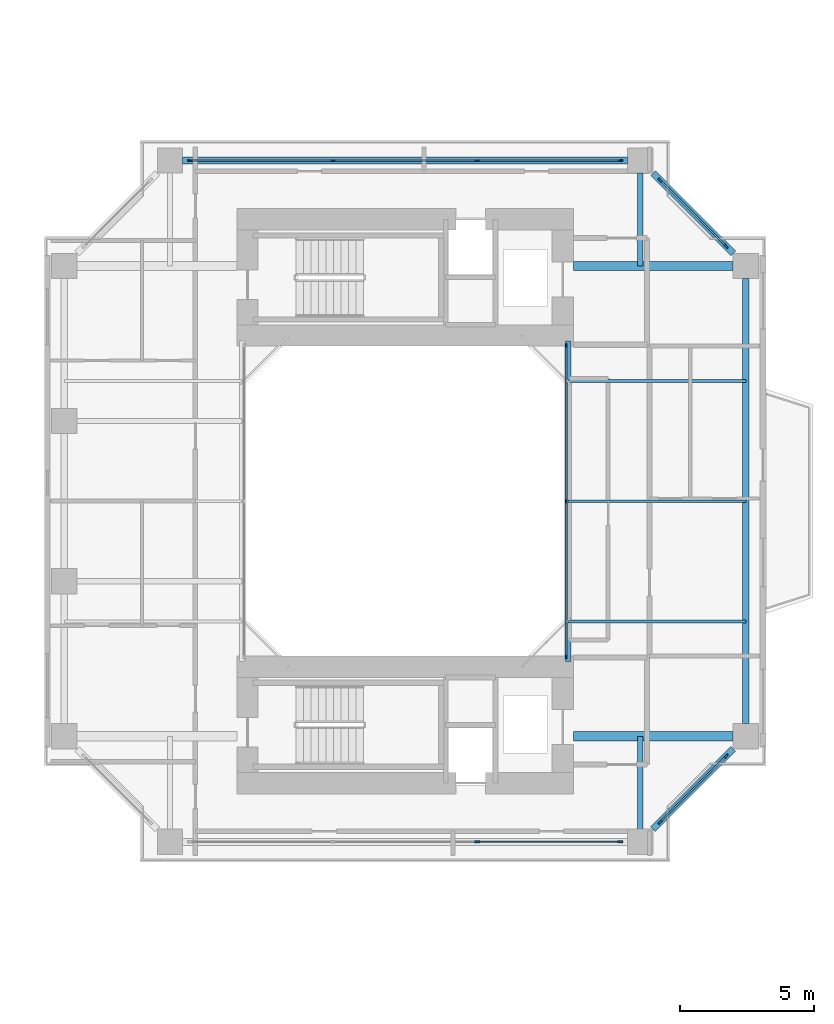
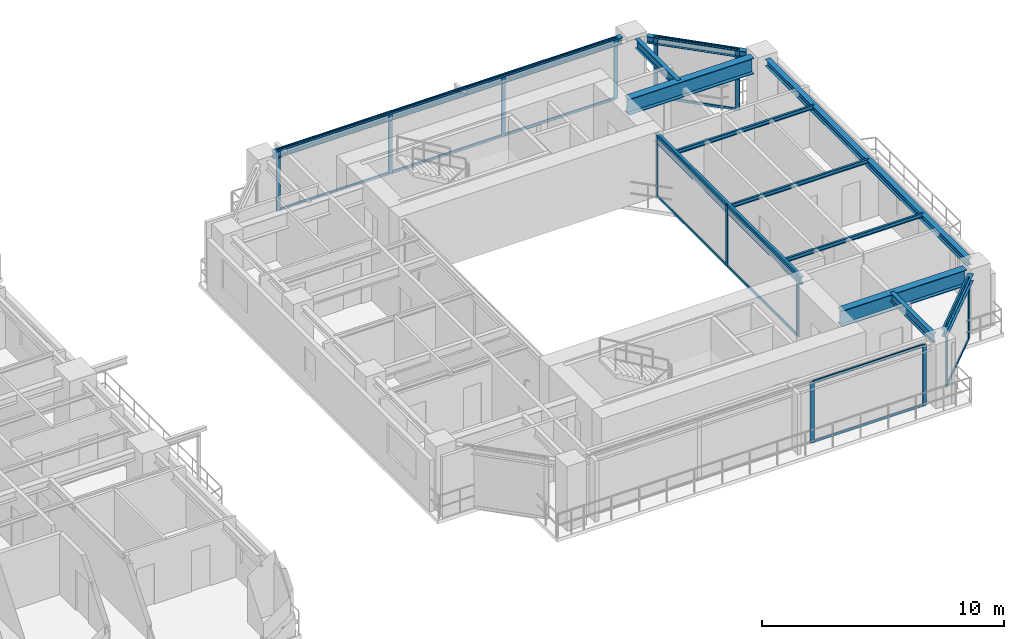
# One storey, part 10 of 23: 29 members, 12 beams, 5 elements without a shape of their own.
"""IFC4 building model written with IfcOpenShell, lengths in metres."""

from ifc_helpers import new_model, si_unit, direction, frame, origin, origin_2d, place, context, subcontext, project, spatial, rectangle, i_section, extrude, source, transform, mapped, material, layer, layer_set, material_profile, profile_set, type_object, element, aggregate, save


model = new_model("IFC4")

# Units and contexts
model_context = context("Model", 3, precision=1e-05, world=origin(), true_north=direction((0.0, 1.0)))
body_context = subcontext(model_context, "Body", "Model", "MODEL_VIEW")
ifc_project = project(units=[si_unit("LENGTHUNIT", "METRE"), si_unit("AREAUNIT", "SQUARE_METRE"), si_unit("VOLUMEUNIT", "CUBIC_METRE"), si_unit("PLANEANGLEUNIT", "RADIAN"), si_unit("MASSUNIT", "GRAM", prefix="KILO"), si_unit("THERMODYNAMICTEMPERATUREUNIT", "KELVIN"), si_unit("POWERUNIT", "WATT")], contexts=[model_context])

# Site, building, storey
site_placement = place(None, origin())
site = spatial("IfcSite", under=ifc_project, at=site_placement, CompositionType="ELEMENT")
building_placement = place(site_placement, origin())
building = spatial("IfcBuilding", under=site, at=building_placement, Name="Qiaomeng Ring Towers", CompositionType="ELEMENT")
storey_placement = place(building_placement, frame((0.0, 0.0, 32.75)))
storey = spatial("IfcBuildingStorey", under=building, at=storey_placement, Name="L08", CompositionType="ELEMENT", Elevation=32.75)

# Beams
ifc_material_1 = material(Name="Steel Q355B", Category="steel")
ifc_material_profile_1 = material_profile(ifc_material_1, i_section(OverallWidth=0.25, OverallDepth=0.340087890625, WebThickness=0.009033203125, FlangeThickness=0.013916015625, FilletRadius=0.02001953125, at=origin_2d()), Name="HM 340x250x9x14")
ifc_profile_set_1 = profile_set([ifc_material_profile_1], Name="Steel Q355B")
beam_type_1 = type_object("IfcBeamType", Name="STR-BM-HM340", PredefinedType="SPANDREL", material=ifc_profile_set_1)
shared_shape_1 = source(origin(), body_context, "Body", "SweptSolid", [
    extrude(i_section(OverallWidth=0.25, OverallDepth=0.340087890625, WebThickness=0.009033203125, FlangeThickness=0.013916015625, FilletRadius=0.02001953125, at=origin_2d()), origin(), (0.0, 0.0, 1.0), 16.65185546875),
])
for number, where, z_axis, x_axis, name in (
    (1, (73.25, 14.674072265625, 2.89990234375), (0.0, 1.0, 0.0), (-1.0, 0.0, 0.0), "L08 beam STR-SP-L08-T2-E1-E2"),
    (2, (68.825927734375, 35.75, 2.89990234375), (-1.0, 0.0, 0.0), (0.0, -1.0, 0.0), "L08 beam STR-SP-L08-T2-N2-N1"),
):
    element("IfcBeam", number, at=place(storey_placement, frame(where, z_axis=z_axis, x_axis=x_axis)), inside=storey, type_object=beam_type_1, Name=name, PredefinedType="SPANDREL", context=body_context, shape_type="MappedRepresentation", body=[
        mapped(shared_shape_1, transform((0.0, 0.0, 0.0), x_axis=(1.0, 0.0, 0.0), y_axis=(0.0, 1.0, 0.0), z_axis=(0.0, 0.0, 1.0), scale=1.0)),
    ])
shared_shape_2 = source(origin(), body_context, "Body", "SweptSolid", [
    extrude(i_section(OverallWidth=0.25, OverallDepth=0.340087890625, WebThickness=0.009033203125, FlangeThickness=0.013916015625, FilletRadius=0.02001953125, at=origin_2d()), origin(), (0.0, 0.0, 1.0), 4.244384765625),
])
for number, where, z_axis, x_axis, name in (
    (3, (69.7744140625, 10.724365234375, 2.89990234375), (0.707106781187, 0.707106781187, 0.0), (-0.707106781187, 0.707106781187, 0.0), "L08 beam STR-SP-L08-T2-S2-E1"),
    (4, (72.775634765625, 32.2744140625, 2.89990234375), (-0.707106781187, 0.707106781187, 0.0), (-0.707106781187, -0.707106781187, 0.0), "L08 beam STR-SP-L08-T2-E2-N2"),
):
    element("IfcBeam", number, at=place(storey_placement, frame(where, z_axis=z_axis, x_axis=x_axis)), inside=storey, type_object=beam_type_1, Name=name, PredefinedType="SPANDREL", context=body_context, shape_type="MappedRepresentation", body=[
        mapped(shared_shape_2, transform((0.0, 0.0, 0.0), x_axis=(1.0, 0.0, 0.0), y_axis=(0.0, 1.0, 0.0), z_axis=(0.0, 0.0, 1.0), scale=1.0)),
    ])
ifc_material_profile_2 = material_profile(ifc_material_1, i_section(OverallWidth=0.199951171875, OverallDepth=0.39990234375, WebThickness=0.008056640625, FlangeThickness=0.012939453125, FilletRadius=0.01611328125, at=origin_2d()), Name="HN 400x200x8x13")
ifc_profile_set_2 = profile_set([ifc_material_profile_2], Name="Steel Q355B")
beam_type_2 = type_object("IfcBeamType", Name="STR-BM-HN400", PredefinedType="SPANDREL", material=ifc_profile_set_2)
shared_shape_3 = source(origin(), body_context, "Body", "SweptSolid", [
    extrude(i_section(OverallWidth=0.199951171875, OverallDepth=0.39990234375, WebThickness=0.008056640625, FlangeThickness=0.012939453125, FilletRadius=0.01611328125, at=origin_2d()), origin(), (0.0, 0.0, 1.0), 12.0),
])
beam_placement = place(storey_placement, frame((66.60009765625, 17.0, 2.8701171875), z_axis=(0.0, 1.0, 0.0), x_axis=(-1.0, 0.0, 0.0)))
element("IfcBeam", 5, at=beam_placement, inside=storey, type_object=beam_type_2, Name="L08 beam STR-BM-L08-T2-WELL-E", PredefinedType="SPANDREL", context=body_context, shape_type="MappedRepresentation", body=[
    mapped(shared_shape_3, transform((0.0, 0.0, 0.0), x_axis=(1.0, 0.0, 0.0), y_axis=(0.0, 1.0, 0.0), z_axis=(0.0, 0.0, 1.0), scale=1.0)),
])
ifc_material_2 = material(Name="Steel Q390GJC", Category="steel")
ifc_material_profile_3 = material_profile(ifc_material_2, i_section(OverallWidth=0.35009765625, OverallDepth=0.800048828125, WebThickness=0.01611328125, FlangeThickness=0.028076171875, at=origin_2d()), Name="WH 800x350x16x28")
ifc_profile_set_3 = profile_set([ifc_material_profile_3], Name="Steel Q390GJC")
beam_type_3 = type_object("IfcBeamType", Name="STR-BM-WH800", PredefinedType="BEAM", material=ifc_profile_set_3)
shared_shape_4 = source(origin(), body_context, "Body", "SweptSolid", [
    extrude(i_section(OverallWidth=0.35009765625, OverallDepth=0.800048828125, WebThickness=0.01611328125, FlangeThickness=0.028076171875, at=origin_2d()), origin(), (0.0, 0.0, 1.0), 5.975830078125),
])
for number, where, z_axis, x_axis, name in (
    (6, (66.800048828125, 14.199951171875, 2.669921875), (1.0, 0.0, 0.0), (0.0, 1.0, 0.0), "L08 beam STR-BM-L08-T2-RAD-E1"),
    (7, (66.800048828125, 31.800048828125, 2.669921875), (1.0, 0.0, 0.0), (0.0, 1.0, 0.0), "L08 beam STR-BM-L08-T2-RAD-E2"),
):
    element("IfcBeam", number, at=place(storey_placement, frame(where, z_axis=z_axis, x_axis=x_axis)), inside=storey, type_object=beam_type_3, Name=name, PredefinedType="BEAM", context=body_context, shape_type="MappedRepresentation", body=[
        mapped(shared_shape_4, transform((0.0, 0.0, 0.0), x_axis=(1.0, 0.0, 0.0), y_axis=(0.0, 1.0, 0.0), z_axis=(0.0, 0.0, 1.0), scale=1.0)),
    ])
ifc_material_profile_4 = material_profile(ifc_material_1, i_section(OverallWidth=0.199951171875, OverallDepth=0.449951171875, WebThickness=0.009033203125, FlangeThickness=0.013916015625, FilletRadius=0.01806640625, at=origin_2d()), Name="HN 450x200x9x14")
ifc_profile_set_4 = profile_set([ifc_material_profile_4], Name="Steel Q355B")
beam_type_4 = type_object("IfcBeamType", Name="STR-BM-HN450", PredefinedType="SPANDREL", material=ifc_profile_set_4)
shared_shape_5 = source(origin(), body_context, "Body", "SweptSolid", [
    extrude(i_section(OverallWidth=0.199951171875, OverallDepth=0.449951171875, WebThickness=0.009033203125, FlangeThickness=0.013916015625, FilletRadius=0.01806640625, at=origin_2d()), origin(), (0.0, 0.0, 1.0), 3.475830078125),
])
for number, where, z_axis, x_axis, name in (
    (8, (69.300048828125, 35.27587890625, 2.844970703125), (0.0, -1.0, 0.0), (1.0, 0.0, 0.0), "L08 beam STR-BM-L08-T2-RAD-N2"),
    (9, (69.300048828125, 10.72412109375, 2.844970703125), (0.0, 1.0, 0.0), (-1.0, 0.0, 0.0), "L08 beam STR-BM-L08-T2-RAD-S2"),
):
    element("IfcBeam", number, at=place(storey_placement, frame(where, z_axis=z_axis, x_axis=x_axis)), inside=storey, type_object=beam_type_4, Name=name, PredefinedType="SPANDREL", context=body_context, shape_type="MappedRepresentation", body=[
        mapped(shared_shape_5, transform((0.0, 0.0, 0.0), x_axis=(1.0, 0.0, 0.0), y_axis=(0.0, 1.0, 0.0), z_axis=(0.0, 0.0, 1.0), scale=1.0)),
    ])
ifc_material_profile_5 = material_profile(ifc_material_1, i_section(OverallWidth=0.10009765625, OverallDepth=0.199951171875, WebThickness=0.005615234375, FlangeThickness=0.008056640625, FilletRadius=0.010986328125, at=origin_2d()), Name="HN 200x100x5.5x8")
ifc_profile_set_5 = profile_set([ifc_material_profile_5], Name="Steel Q355B")
beam_type_5 = type_object("IfcBeamType", Name="STR-BM-HN200", PredefinedType="JOIST", material=ifc_profile_set_5)
shared_shape_6 = source(origin(), body_context, "Body", "SweptSolid", [
    extrude(i_section(OverallWidth=0.10009765625, OverallDepth=0.199951171875, WebThickness=0.005615234375, FlangeThickness=0.008056640625, FilletRadius=0.010986328125, at=origin_2d()), origin(), (0.0, 0.0, 1.0), 6.64990234375),
])
for number, where, z_axis, x_axis, name in (
    (10, (66.60009765625, 18.5, 2.969970703125), (1.0, 0.0, 0.0), (0.0, 1.0, 0.0), "L08 beam STR-JST-L08-T2E-1"),
    (11, (66.60009765625, 23.0, 2.969970703125), (1.0, 0.0, 0.0), (0.0, 1.0, 0.0), "L08 beam STR-JST-L08-T2E-2"),
    (12, (66.60009765625, 27.5, 2.969970703125), (1.0, 0.0, 0.0), (0.0, 1.0, 0.0), "L08 beam STR-JST-L08-T2E-3"),
):
    element("IfcBeam", number, at=place(storey_placement, frame(where, z_axis=z_axis, x_axis=x_axis)), inside=storey, type_object=beam_type_5, Name=name, PredefinedType="JOIST", context=body_context, shape_type="MappedRepresentation", body=[
        mapped(shared_shape_6, transform((0.0, 0.0, 0.0), x_axis=(1.0, 0.0, 0.0), y_axis=(0.0, 1.0, 0.0), z_axis=(0.0, 0.0, 1.0), scale=1.0)),
    ])

# Curtain wall, members
ifc_material_3 = material(Name="Fluorocarbon dark-grey aluminium", Category="aluminium")
ifc_layer_1 = layer(ifc_material_3, 0.139892578125, Name="Fluorocarbon dark-grey aluminium")
ifc_layer_set_1 = layer_set([ifc_layer_1], Name="Fluorocarbon dark-grey aluminium")
curtain_wall_type_1 = type_object("IfcCurtainWallType", Name="ARC-CW-4", PredefinedType="NOTDEFINED", material=ifc_layer_set_1)
curtain_wall_1_placement = place(storey_placement, origin())
curtain_wall_1 = element("IfcCurtainWall", 13, at=curtain_wall_1_placement, inside=storey, type_object=curtain_wall_type_1, Name="L08 Curtain Wall CW4", PredefinedType="NOTDEFINED")
ifc_material_profile_6 = material_profile(ifc_material_3, rectangle(XDim=0.06494140625, YDim=0.159912109375, at=origin_2d()), Name="ALU MULL 65x160")
ifc_profile_set_6 = profile_set([ifc_material_profile_6], Name="Fluorocarbon dark-grey aluminium")
member_type_1 = type_object("IfcMemberType", Name="ARC-CWM-140", PredefinedType="MULLION", material=ifc_profile_set_6)
shared_shape_7 = source(origin(), body_context, "Body", "SweptSolid", [
    extrude(rectangle(XDim=0.06494140625, YDim=0.159912109375, at=origin_2d()), origin(), (0.0, 0.0, 1.0), 3.070068359375),
])
member_1_placement = place(storey_placement, frame((66.52001953125, 17.1826171875, 0.0), z_axis=(0.0, 0.0, 1.0), x_axis=(-1.0, 0.0, 0.0)))
member_1 = element("IfcMember", 14, at=member_1_placement, type_object=member_type_1, Name="CW4 mullion 1", PredefinedType="MULLION", context=body_context, shape_type="MappedRepresentation", body=[
    mapped(shared_shape_7, transform((0.0, 0.0, 0.0), x_axis=(1.0, 0.0, 0.0), y_axis=(0.0, 1.0, 0.0), z_axis=(0.0, 0.0, 1.0), scale=1.0)),
])
member_2_placement = place(storey_placement, frame((66.52001953125, 23.0, 0.0), z_axis=(0.0, 0.0, 1.0), x_axis=(-1.0, 0.0, 0.0)))
member_2 = element("IfcMember", 15, at=member_2_placement, type_object=member_type_1, Name="CW4 mullion 2", PredefinedType="MULLION", context=body_context, shape_type="MappedRepresentation", body=[
    mapped(shared_shape_7, transform((0.0, 0.0, 0.0), x_axis=(1.0, 0.0, 0.0), y_axis=(0.0, 1.0, 0.0), z_axis=(0.0, 0.0, 1.0), scale=1.0)),
])
member_3_placement = place(storey_placement, frame((66.52001953125, 28.8173828125, 0.0), z_axis=(0.0, 0.0, 1.0), x_axis=(-1.0, 0.0, 0.0)))
member_3 = element("IfcMember", 16, at=member_3_placement, type_object=member_type_1, Name="CW4 mullion 3", PredefinedType="MULLION", context=body_context, shape_type="MappedRepresentation", body=[
    mapped(shared_shape_7, transform((0.0, 0.0, 0.0), x_axis=(1.0, 0.0, 0.0), y_axis=(0.0, 1.0, 0.0), z_axis=(0.0, 0.0, 1.0), scale=1.0)),
])
ifc_material_profile_7 = material_profile(ifc_material_3, rectangle(XDim=0.06494140625, YDim=0.1298828125, at=origin_2d()), Name="ALU TRAN 65x130")
ifc_profile_set_7 = profile_set([ifc_material_profile_7], Name="Fluorocarbon dark-grey aluminium")
member_type_2 = type_object("IfcMemberType", Name="ARC-CWT-120", PredefinedType="USERDEFINED", material=ifc_profile_set_7)
shared_shape_8 = source(origin(), body_context, "Body", "SweptSolid", [
    extrude(rectangle(XDim=0.06494140625, YDim=0.1298828125, at=origin_2d()), origin(), (0.0, 0.0, 1.0), 5.75244140625),
])
member_4_placement = place(storey_placement, frame((66.52001953125, 17.215087890625, 0.032470703125), z_axis=(0.0, 1.0, 0.0), x_axis=(-1.0, 0.0, 0.0)))
member_4 = element("IfcMember", 17, at=member_4_placement, type_object=member_type_2, Name="CW4 transom 1.1", ObjectType="TRANSOM", PredefinedType="USERDEFINED", context=body_context, shape_type="MappedRepresentation", body=[
    mapped(shared_shape_8, transform((0.0, 0.0, 0.0), x_axis=(1.0, 0.0, 0.0), y_axis=(0.0, 1.0, 0.0), z_axis=(0.0, 0.0, 1.0), scale=1.0)),
])
member_5_placement = place(storey_placement, frame((66.52001953125, 17.215087890625, 3.03759765625), z_axis=(0.0, 1.0, 0.0), x_axis=(-1.0, 0.0, 0.0)))
member_5 = element("IfcMember", 18, at=member_5_placement, type_object=member_type_2, Name="CW4 transom 1.2", ObjectType="TRANSOM", PredefinedType="USERDEFINED", context=body_context, shape_type="MappedRepresentation", body=[
    mapped(shared_shape_8, transform((0.0, 0.0, 0.0), x_axis=(1.0, 0.0, 0.0), y_axis=(0.0, 1.0, 0.0), z_axis=(0.0, 0.0, 1.0), scale=1.0)),
])
member_6_placement = place(storey_placement, frame((66.52001953125, 23.032470703125, 0.032470703125), z_axis=(0.0, 1.0, 0.0), x_axis=(-1.0, 0.0, 0.0)))
member_6 = element("IfcMember", 19, at=member_6_placement, type_object=member_type_2, Name="CW4 transom 2.1", ObjectType="TRANSOM", PredefinedType="USERDEFINED", context=body_context, shape_type="MappedRepresentation", body=[
    mapped(shared_shape_8, transform((0.0, 0.0, 0.0), x_axis=(1.0, 0.0, 0.0), y_axis=(0.0, 1.0, 0.0), z_axis=(0.0, 0.0, 1.0), scale=1.0)),
])
member_7_placement = place(storey_placement, frame((66.52001953125, 23.032470703125, 3.03759765625), z_axis=(0.0, 1.0, 0.0), x_axis=(-1.0, 0.0, 0.0)))
member_7 = element("IfcMember", 20, at=member_7_placement, type_object=member_type_2, Name="CW4 transom 2.2", ObjectType="TRANSOM", PredefinedType="USERDEFINED", context=body_context, shape_type="MappedRepresentation", body=[
    mapped(shared_shape_8, transform((0.0, 0.0, 0.0), x_axis=(1.0, 0.0, 0.0), y_axis=(0.0, 1.0, 0.0), z_axis=(0.0, 0.0, 1.0), scale=1.0)),
])
aggregate(curtain_wall_1, [member_1, member_2, member_3, member_4, member_5, member_6, member_7])

ifc_layer_2 = layer(ifc_material_3, 0.14990234375, Name="Fluorocarbon dark-grey aluminium")
ifc_layer_set_2 = layer_set([ifc_layer_2], Name="Fluorocarbon dark-grey aluminium")
curtain_wall_type_2 = type_object("IfcCurtainWallType", Name="ARC-CW-5", PredefinedType="NOTDEFINED", material=ifc_layer_set_2)
curtain_wall_2_placement = place(storey_placement, origin())
curtain_wall_2 = element("IfcCurtainWall", 21, at=curtain_wall_2_placement, inside=storey, type_object=curtain_wall_type_2, Name="L08 Curtain Wall CW5", PredefinedType="NOTDEFINED")
ifc_material_profile_8 = material_profile(ifc_material_3, rectangle(XDim=0.070068359375, YDim=0.179931640625, at=origin_2d()), Name="ALU MULL 70x180")
ifc_profile_set_8 = profile_set([ifc_material_profile_8], Name="Fluorocarbon dark-grey aluminium")
member_type_3 = type_object("IfcMemberType", Name="ARC-CWM-160", PredefinedType="MULLION", material=ifc_profile_set_8)
shared_shape_9 = source(origin(), body_context, "Body", "SweptSolid", [
    extrude(rectangle(XDim=0.070068359375, YDim=0.179931640625, at=origin_2d()), origin(), (0.0, 0.0, 1.0), 3.070068359375),
])
member_8_placement = place(storey_placement, frame((52.449951171875, 35.75, 0.0), z_axis=(0.0, 0.0, 1.0), x_axis=(0.0, 1.0, 0.0)))
member_8 = element("IfcMember", 22, at=member_8_placement, type_object=member_type_3, Name="CW5 mullion 1", PredefinedType="MULLION", context=body_context, shape_type="MappedRepresentation", body=[
    mapped(shared_shape_9, transform((0.0, 0.0, 0.0), x_axis=(1.0, 0.0, 0.0), y_axis=(0.0, 1.0, 0.0), z_axis=(0.0, 0.0, 1.0), scale=1.0)),
])
member_9_placement = place(storey_placement, frame((57.804931640625, 35.75, 0.0), z_axis=(0.0, 0.0, 1.0), x_axis=(0.0, 1.0, 0.0)))
member_9 = element("IfcMember", 23, at=member_9_placement, type_object=member_type_3, Name="CW5 mullion 2", PredefinedType="MULLION", context=body_context, shape_type="MappedRepresentation", body=[
    mapped(shared_shape_9, transform((0.0, 0.0, 0.0), x_axis=(1.0, 0.0, 0.0), y_axis=(0.0, 1.0, 0.0), z_axis=(0.0, 0.0, 1.0), scale=1.0)),
])
member_10_placement = place(storey_placement, frame((63.195068359375, 35.75, 0.0), z_axis=(0.0, 0.0, 1.0), x_axis=(0.0, 1.0, 0.0)))
member_10 = element("IfcMember", 24, at=member_10_placement, type_object=member_type_3, Name="CW5 mullion 3", PredefinedType="MULLION", context=body_context, shape_type="MappedRepresentation", body=[
    mapped(shared_shape_9, transform((0.0, 0.0, 0.0), x_axis=(1.0, 0.0, 0.0), y_axis=(0.0, 1.0, 0.0), z_axis=(0.0, 0.0, 1.0), scale=1.0)),
])
member_11_placement = place(storey_placement, frame((68.550048828125, 35.75, 0.0), z_axis=(0.0, 0.0, 1.0), x_axis=(0.0, 1.0, 0.0)))
member_11 = element("IfcMember", 25, at=member_11_placement, type_object=member_type_3, Name="CW5 mullion 4", PredefinedType="MULLION", context=body_context, shape_type="MappedRepresentation", body=[
    mapped(shared_shape_9, transform((0.0, 0.0, 0.0), x_axis=(1.0, 0.0, 0.0), y_axis=(0.0, 1.0, 0.0), z_axis=(0.0, 0.0, 1.0), scale=1.0)),
])

curtain_wall_3_placement = place(storey_placement, origin())
curtain_wall_3 = element("IfcCurtainWall", 26, at=curtain_wall_3_placement, inside=storey, type_object=curtain_wall_type_2, Name="L08 Curtain Wall CW5", PredefinedType="NOTDEFINED")
member_12_placement = place(storey_placement, frame((70.039794921875, 10.98974609375, 0.0), z_axis=(0.0, 0.0, 1.0), x_axis=(-0.707106781187, 0.707106781187, 0.0)))
member_12 = element("IfcMember", 27, at=member_12_placement, type_object=member_type_3, Name="CW5 mullion 1", PredefinedType="MULLION", context=body_context, shape_type="MappedRepresentation", body=[
    mapped(shared_shape_9, transform((0.0, 0.0, 0.0), x_axis=(1.0, 0.0, 0.0), y_axis=(0.0, 1.0, 0.0), z_axis=(0.0, 0.0, 1.0), scale=1.0)),
])
member_13_placement = place(storey_placement, frame((72.51025390625, 13.460205078125, 0.0), z_axis=(0.0, 0.0, 1.0), x_axis=(-0.707106781187, 0.707106781187, 0.0)))
member_13 = element("IfcMember", 28, at=member_13_placement, type_object=member_type_3, Name="CW5 mullion 2", PredefinedType="MULLION", context=body_context, shape_type="MappedRepresentation", body=[
    mapped(shared_shape_9, transform((0.0, 0.0, 0.0), x_axis=(1.0, 0.0, 0.0), y_axis=(0.0, 1.0, 0.0), z_axis=(0.0, 0.0, 1.0), scale=1.0)),
])

curtain_wall_4_placement = place(storey_placement, origin())
curtain_wall_4 = element("IfcCurtainWall", 29, at=curtain_wall_4_placement, inside=storey, type_object=curtain_wall_type_2, Name="L08 Curtain Wall CW5", PredefinedType="NOTDEFINED")
member_14_placement = place(storey_placement, frame((72.51025390625, 32.539794921875, 0.0), z_axis=(0.0, 0.0, 1.0), x_axis=(-0.707106781187, -0.707106781187, 0.0)))
member_14 = element("IfcMember", 30, at=member_14_placement, type_object=member_type_3, Name="CW5 mullion 1", PredefinedType="MULLION", context=body_context, shape_type="MappedRepresentation", body=[
    mapped(shared_shape_9, transform((0.0, 0.0, 0.0), x_axis=(1.0, 0.0, 0.0), y_axis=(0.0, 1.0, 0.0), z_axis=(0.0, 0.0, 1.0), scale=1.0)),
])
member_15_placement = place(storey_placement, frame((70.039794921875, 35.01025390625, 0.0), z_axis=(0.0, 0.0, 1.0), x_axis=(-0.707106781187, -0.707106781187, 0.0)))
member_15 = element("IfcMember", 31, at=member_15_placement, type_object=member_type_3, Name="CW5 mullion 2", PredefinedType="MULLION", context=body_context, shape_type="MappedRepresentation", body=[
    mapped(shared_shape_9, transform((0.0, 0.0, 0.0), x_axis=(1.0, 0.0, 0.0), y_axis=(0.0, 1.0, 0.0), z_axis=(0.0, 0.0, 1.0), scale=1.0)),
])

curtain_wall_5_placement = place(storey_placement, origin())
curtain_wall_5 = element("IfcCurtainWall", 32, at=curtain_wall_5_placement, inside=storey, type_object=curtain_wall_type_2, Name="L08 Curtain Wall CW5", PredefinedType="NOTDEFINED")
member_16_placement = place(storey_placement, frame((63.195068359375, 10.25, 0.0), z_axis=(0.0, 0.0, 1.0), x_axis=(0.0, 1.0, 0.0)))
member_16 = element("IfcMember", 33, at=member_16_placement, type_object=member_type_3, Name="CW5 mullion 3", PredefinedType="MULLION", context=body_context, shape_type="MappedRepresentation", body=[
    mapped(shared_shape_9, transform((0.0, 0.0, 0.0), x_axis=(1.0, 0.0, 0.0), y_axis=(0.0, 1.0, 0.0), z_axis=(0.0, 0.0, 1.0), scale=1.0)),
])
member_17_placement = place(storey_placement, frame((68.550048828125, 10.25, 0.0), z_axis=(0.0, 0.0, 1.0), x_axis=(0.0, 1.0, 0.0)))
member_17 = element("IfcMember", 34, at=member_17_placement, type_object=member_type_3, Name="CW5 mullion 4", PredefinedType="MULLION", context=body_context, shape_type="MappedRepresentation", body=[
    mapped(shared_shape_9, transform((0.0, 0.0, 0.0), x_axis=(1.0, 0.0, 0.0), y_axis=(0.0, 1.0, 0.0), z_axis=(0.0, 0.0, 1.0), scale=1.0)),
])

# Member
shared_shape_10 = source(origin(), body_context, "Body", "SweptSolid", [
    extrude(rectangle(XDim=0.06494140625, YDim=0.1298828125, at=origin_2d()), origin(), (0.0, 0.0, 1.0), 5.284912109375),
])
member_18_placement = place(storey_placement, frame((52.485107421875, 35.75, 0.032470703125), z_axis=(1.0, 0.0, 0.0), x_axis=(0.0, 1.0, 0.0)))
member_18 = element("IfcMember", 35, at=member_18_placement, type_object=member_type_2, Name="CW5 transom 1.1", ObjectType="TRANSOM", PredefinedType="USERDEFINED", context=body_context, shape_type="MappedRepresentation", body=[
    mapped(shared_shape_10, transform((0.0, 0.0, 0.0), x_axis=(1.0, 0.0, 0.0), y_axis=(0.0, 1.0, 0.0), z_axis=(0.0, 0.0, 1.0), scale=1.0)),
])

member_19_placement = place(storey_placement, frame((52.485107421875, 35.75, 3.03759765625), z_axis=(1.0, 0.0, 0.0), x_axis=(0.0, 1.0, 0.0)))
member_19 = element("IfcMember", 36, at=member_19_placement, type_object=member_type_2, Name="CW5 transom 1.2", ObjectType="TRANSOM", PredefinedType="USERDEFINED", context=body_context, shape_type="MappedRepresentation", body=[
    mapped(shared_shape_10, transform((0.0, 0.0, 0.0), x_axis=(1.0, 0.0, 0.0), y_axis=(0.0, 1.0, 0.0), z_axis=(0.0, 0.0, 1.0), scale=1.0)),
])

member_20_placement = place(storey_placement, frame((63.22998046875, 35.75, 0.032470703125), z_axis=(1.0, 0.0, 0.0), x_axis=(0.0, 1.0, 0.0)))
member_20 = element("IfcMember", 37, at=member_20_placement, type_object=member_type_2, Name="CW5 transom 3.1", ObjectType="TRANSOM", PredefinedType="USERDEFINED", context=body_context, shape_type="MappedRepresentation", body=[
    mapped(shared_shape_10, transform((0.0, 0.0, 0.0), x_axis=(1.0, 0.0, 0.0), y_axis=(0.0, 1.0, 0.0), z_axis=(0.0, 0.0, 1.0), scale=1.0)),
])

member_21_placement = place(storey_placement, frame((63.22998046875, 35.75, 3.03759765625), z_axis=(1.0, 0.0, 0.0), x_axis=(0.0, 1.0, 0.0)))
member_21 = element("IfcMember", 38, at=member_21_placement, type_object=member_type_2, Name="CW5 transom 3.2", ObjectType="TRANSOM", PredefinedType="USERDEFINED", context=body_context, shape_type="MappedRepresentation", body=[
    mapped(shared_shape_10, transform((0.0, 0.0, 0.0), x_axis=(1.0, 0.0, 0.0), y_axis=(0.0, 1.0, 0.0), z_axis=(0.0, 0.0, 1.0), scale=1.0)),
])

member_22_placement = place(storey_placement, frame((63.22998046875, 10.25, 0.032470703125), z_axis=(1.0, 0.0, 0.0), x_axis=(0.0, 1.0, 0.0)))
member_22 = element("IfcMember", 39, at=member_22_placement, type_object=member_type_2, Name="CW5 transom 3.1", ObjectType="TRANSOM", PredefinedType="USERDEFINED", context=body_context, shape_type="MappedRepresentation", body=[
    mapped(shared_shape_10, transform((0.0, 0.0, 0.0), x_axis=(1.0, 0.0, 0.0), y_axis=(0.0, 1.0, 0.0), z_axis=(0.0, 0.0, 1.0), scale=1.0)),
])

member_23_placement = place(storey_placement, frame((63.22998046875, 10.25, 3.03759765625), z_axis=(1.0, 0.0, 0.0), x_axis=(0.0, 1.0, 0.0)))
member_23 = element("IfcMember", 40, at=member_23_placement, type_object=member_type_2, Name="CW5 transom 3.2", ObjectType="TRANSOM", PredefinedType="USERDEFINED", context=body_context, shape_type="MappedRepresentation", body=[
    mapped(shared_shape_10, transform((0.0, 0.0, 0.0), x_axis=(1.0, 0.0, 0.0), y_axis=(0.0, 1.0, 0.0), z_axis=(0.0, 0.0, 1.0), scale=1.0)),
])

aggregate(curtain_wall_5, [member_16, member_17, member_22, member_23])

shared_shape_11 = source(origin(), body_context, "Body", "SweptSolid", [
    extrude(rectangle(XDim=0.06494140625, YDim=0.1298828125, at=origin_2d()), origin(), (0.0, 0.0, 1.0), 5.31982421875),
])
member_24_placement = place(storey_placement, frame((57.840087890625, 35.75, 0.032470703125), z_axis=(1.0, 0.0, 0.0), x_axis=(0.0, 1.0, 0.0)))
member_24 = element("IfcMember", 41, at=member_24_placement, type_object=member_type_2, Name="CW5 transom 2.1", ObjectType="TRANSOM", PredefinedType="USERDEFINED", context=body_context, shape_type="MappedRepresentation", body=[
    mapped(shared_shape_11, transform((0.0, 0.0, 0.0), x_axis=(1.0, 0.0, 0.0), y_axis=(0.0, 1.0, 0.0), z_axis=(0.0, 0.0, 1.0), scale=1.0)),
])

member_25_placement = place(storey_placement, frame((57.840087890625, 35.75, 3.03759765625), z_axis=(1.0, 0.0, 0.0), x_axis=(0.0, 1.0, 0.0)))
member_25 = element("IfcMember", 42, at=member_25_placement, type_object=member_type_2, Name="CW5 transom 2.2", ObjectType="TRANSOM", PredefinedType="USERDEFINED", context=body_context, shape_type="MappedRepresentation", body=[
    mapped(shared_shape_11, transform((0.0, 0.0, 0.0), x_axis=(1.0, 0.0, 0.0), y_axis=(0.0, 1.0, 0.0), z_axis=(0.0, 0.0, 1.0), scale=1.0)),
])

aggregate(curtain_wall_2, [member_8, member_9, member_10, member_11, member_18, member_19, member_24, member_25, member_20, member_21])

shared_shape_12 = source(origin(), body_context, "Body", "SweptSolid", [
    extrude(rectangle(XDim=0.06494140625, YDim=0.1298828125, at=origin_2d()), origin(), (0.0, 0.0, 1.0), 3.424072265625),
])
member_26_placement = place(storey_placement, frame((70.064453125, 11.014404296875, 0.032470703125), z_axis=(0.707106781187, 0.707106781187, 0.0), x_axis=(-0.707106781187, 0.707106781187, 0.0)))
member_26 = element("IfcMember", 43, at=member_26_placement, type_object=member_type_2, Name="CW5 transom 1.1", ObjectType="TRANSOM", PredefinedType="USERDEFINED", context=body_context, shape_type="MappedRepresentation", body=[
    mapped(shared_shape_12, transform((0.0, 0.0, 0.0), x_axis=(1.0, 0.0, 0.0), y_axis=(0.0, 1.0, 0.0), z_axis=(0.0, 0.0, 1.0), scale=1.0)),
])

member_27_placement = place(storey_placement, frame((70.064453125, 11.014404296875, 3.03759765625), z_axis=(0.707106781187, 0.707106781187, 0.0), x_axis=(-0.707106781187, 0.707106781187, 0.0)))
member_27 = element("IfcMember", 44, at=member_27_placement, type_object=member_type_2, Name="CW5 transom 1.2", ObjectType="TRANSOM", PredefinedType="USERDEFINED", context=body_context, shape_type="MappedRepresentation", body=[
    mapped(shared_shape_12, transform((0.0, 0.0, 0.0), x_axis=(1.0, 0.0, 0.0), y_axis=(0.0, 1.0, 0.0), z_axis=(0.0, 0.0, 1.0), scale=1.0)),
])

aggregate(curtain_wall_3, [member_12, member_13, member_26, member_27])

member_28_placement = place(storey_placement, frame((72.485595703125, 32.564453125, 0.032470703125), z_axis=(-0.707106781187, 0.707106781187, 0.0), x_axis=(-0.707106781187, -0.707106781187, 0.0)))
member_28 = element("IfcMember", 45, at=member_28_placement, type_object=member_type_2, Name="CW5 transom 1.1", ObjectType="TRANSOM", PredefinedType="USERDEFINED", context=body_context, shape_type="MappedRepresentation", body=[
    mapped(shared_shape_12, transform((0.0, 0.0, 0.0), x_axis=(1.0, 0.0, 0.0), y_axis=(0.0, 1.0, 0.0), z_axis=(0.0, 0.0, 1.0), scale=1.0)),
])

member_29_placement = place(storey_placement, frame((72.485595703125, 32.564453125, 3.03759765625), z_axis=(-0.707106781187, 0.707106781187, 0.0), x_axis=(-0.707106781187, -0.707106781187, 0.0)))
member_29 = element("IfcMember", 46, at=member_29_placement, type_object=member_type_2, Name="CW5 transom 1.2", ObjectType="TRANSOM", PredefinedType="USERDEFINED", context=body_context, shape_type="MappedRepresentation", body=[
    mapped(shared_shape_12, transform((0.0, 0.0, 0.0), x_axis=(1.0, 0.0, 0.0), y_axis=(0.0, 1.0, 0.0), z_axis=(0.0, 0.0, 1.0), scale=1.0)),
])

aggregate(curtain_wall_4, [member_14, member_15, member_28, member_29])

save(model, "model.ifc")
